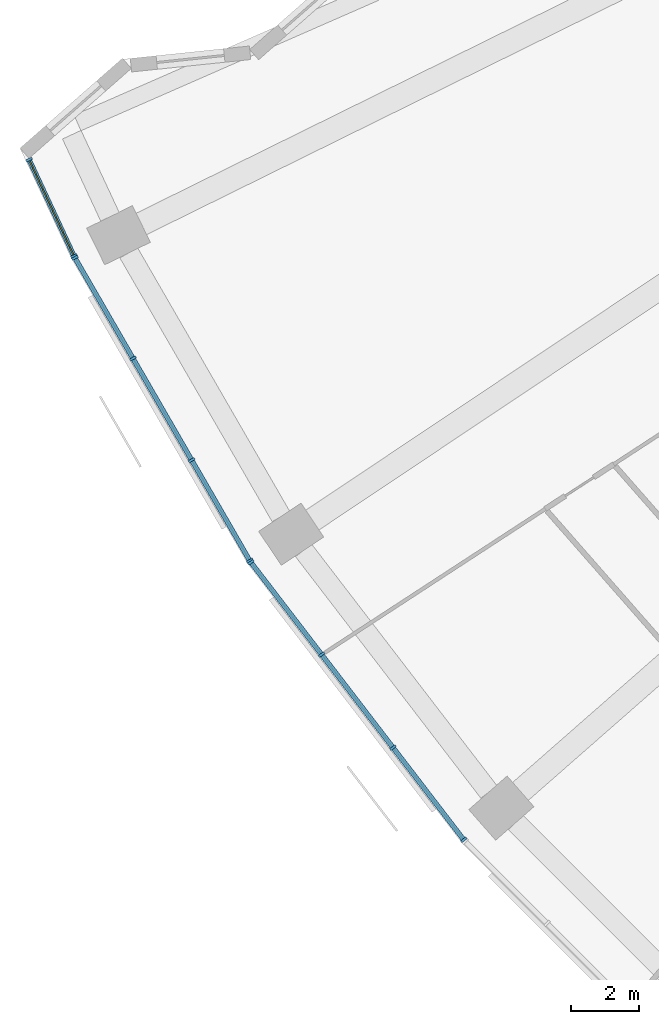
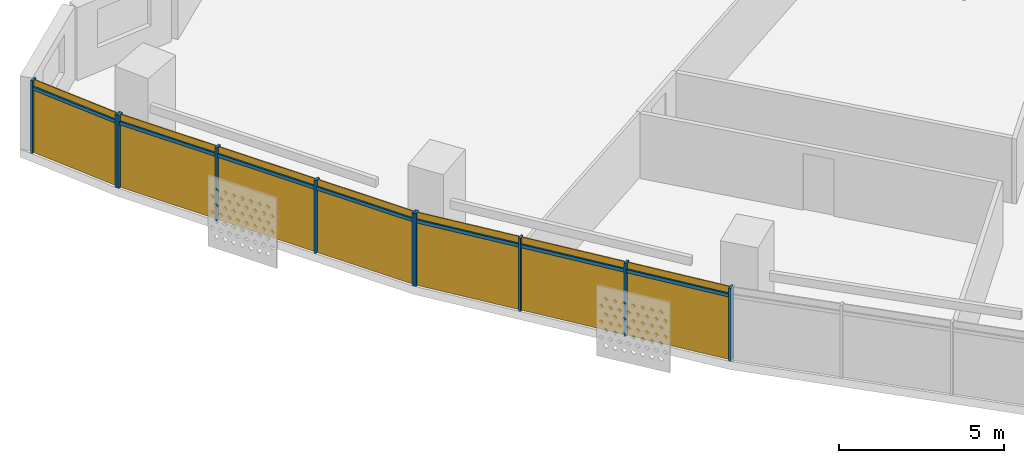
# One storey, part 20 of 29: 17 members, 3 curtain walls.
"""IFC4 building model written with IfcOpenShell, lengths in metres."""

from ifc_helpers import new_model, si_unit, direction, frame, origin, origin_2d, place, context, subcontext, project, spatial, rectangle, extrude, material, material_profile, profile_set, type_object, element, aggregate, save


model = new_model("IFC4")

# Units and contexts
model_context = context("Model", 3, precision=1e-05, world=origin(), true_north=direction((0.0, 1.0)))
body_context = subcontext(model_context, "Body", "Model", "MODEL_VIEW")
ifc_project = project(units=[si_unit("LENGTHUNIT", "METRE"), si_unit("AREAUNIT", "SQUARE_METRE"), si_unit("VOLUMEUNIT", "CUBIC_METRE"), si_unit("PLANEANGLEUNIT", "RADIAN"), si_unit("MASSUNIT", "GRAM", prefix="KILO")], contexts=[model_context])

# Member
ifc_material = material(Name="Aluminium 6063-T6 anodised", Category="aluminium")
ifc_material_profile_1 = material_profile(ifc_material, rectangle(XDim=0.199951171875, YDim=0.070068359375, at=origin_2d()))
ifc_profile_set_1 = profile_set([ifc_material_profile_1], Name="Aluminium 6063-T6 anodised")
member_type_1 = type_object("IfcMemberType", Name="Mullion 70 x 200 aluminium", PredefinedType="MULLION", material=ifc_profile_set_1)
site_placement = place(None, origin())
building_placement = place(site_placement, origin())
storey_placement = place(building_placement, frame((0.0, 0.0, 136.699951171875)))
member_1_placement = place(storey_placement, frame((-72.366455078125, -32.162109375, 0.0), z_axis=(0.0, 0.0, 1.0), x_axis=(0.906640407639, 0.421904220453, 0.0)))
member_1 = element("IfcMember", 1, at=member_1_placement, type_object=member_type_1, Name="e-cw1-L31-out00/M00", PredefinedType="MULLION", context=body_context, shape_type="SweptSolid", body=[
    extrude(rectangle(XDim=0.199951171875, YDim=0.070068359375, at=origin_2d()), origin(), (0.0, 0.0, 1.0), 2.699951171875),
])

member_2_placement = place(storey_placement, frame((-71.046142578125, -34.99951171875, 0.0), z_axis=(0.0, 0.0, 1.0), x_axis=(0.906640407639, 0.421904220453, 0.0)))
member_2 = element("IfcMember", 2, at=member_2_placement, type_object=member_type_1, Name="e-cw1-L31-out00/M01", PredefinedType="MULLION", context=body_context, shape_type="SweptSolid", body=[
    extrude(rectangle(XDim=0.199951171875, YDim=0.070068359375, at=origin_2d()), origin(), (0.0, 0.0, 1.0), 2.699951171875),
])

member_3_placement = place(storey_placement, frame((-71.017822265625, -35.0537109375, 0.0), z_axis=(0.0, 0.0, 1.0), x_axis=(0.866025403784, 0.5, 0.0)))
member_3 = element("IfcMember", 3, at=member_3_placement, type_object=member_type_1, Name="e-cw1-L31-out01/M00", PredefinedType="MULLION", context=body_context, shape_type="SweptSolid", body=[
    extrude(rectangle(XDim=0.199951171875, YDim=0.070068359375, at=origin_2d()), origin(), (0.0, 0.0, 1.0), 2.699951171875),
])

member_4_placement = place(storey_placement, frame((-69.306640625, -38.017822265625, 0.0), z_axis=(0.0, 0.0, 1.0), x_axis=(0.866025403784, 0.5, 0.0)))
member_4 = element("IfcMember", 4, at=member_4_placement, type_object=member_type_1, Name="e-cw1-L31-out01/M01", PredefinedType="MULLION", context=body_context, shape_type="SweptSolid", body=[
    extrude(rectangle(XDim=0.199951171875, YDim=0.070068359375, at=origin_2d()), origin(), (0.0, 0.0, 1.0), 2.699951171875),
])

member_5_placement = place(storey_placement, frame((-67.577880859375, -41.01220703125, 0.0), z_axis=(0.0, 0.0, 1.0), x_axis=(0.866025403784, 0.5, 0.0)))
member_5 = element("IfcMember", 5, at=member_5_placement, type_object=member_type_1, Name="e-cw1-L31-out01/M02", PredefinedType="MULLION", context=body_context, shape_type="SweptSolid", body=[
    extrude(rectangle(XDim=0.199951171875, YDim=0.070068359375, at=origin_2d()), origin(), (0.0, 0.0, 1.0), 2.699951171875),
])

member_6_placement = place(storey_placement, frame((-65.866455078125, -43.976318359375, 0.0), z_axis=(0.0, 0.0, 1.0), x_axis=(0.866025403784, 0.5, 0.0)))
member_6 = element("IfcMember", 6, at=member_6_placement, type_object=member_type_1, Name="e-cw1-L31-out01/M03", PredefinedType="MULLION", context=body_context, shape_type="SweptSolid", body=[
    extrude(rectangle(XDim=0.199951171875, YDim=0.070068359375, at=origin_2d()), origin(), (0.0, 0.0, 1.0), 2.699951171875),
])

member_7_placement = place(storey_placement, frame((-65.8349609375, -44.023681640625, 0.0), z_axis=(0.0, 0.0, 1.0), x_axis=(0.793353340291, 0.608761429009, 0.0)))
member_7 = element("IfcMember", 7, at=member_7_placement, type_object=member_type_1, Name="e-cw1-L31-out02/M00", PredefinedType="MULLION", context=body_context, shape_type="SweptSolid", body=[
    extrude(rectangle(XDim=0.199951171875, YDim=0.070068359375, at=origin_2d()), origin(), (0.0, 0.0, 1.0), 2.699951171875),
])

member_8_placement = place(storey_placement, frame((-63.751220703125, -46.739013671875, 0.0), z_axis=(0.0, 0.0, 1.0), x_axis=(0.793353340291, 0.608761429009, 0.0)))
member_8 = element("IfcMember", 8, at=member_8_placement, type_object=member_type_1, Name="e-cw1-L31-out02/M01", PredefinedType="MULLION", context=body_context, shape_type="SweptSolid", body=[
    extrude(rectangle(XDim=0.199951171875, YDim=0.070068359375, at=origin_2d()), origin(), (0.0, 0.0, 1.0), 2.699951171875),
])

member_9_placement = place(storey_placement, frame((-61.646484375, -49.482177734375, 0.0), z_axis=(0.0, 0.0, 1.0), x_axis=(0.793353340291, 0.608761429009, 0.0)))
member_9 = element("IfcMember", 9, at=member_9_placement, type_object=member_type_1, Name="e-cw1-L31-out02/M02", PredefinedType="MULLION", context=body_context, shape_type="SweptSolid", body=[
    extrude(rectangle(XDim=0.199951171875, YDim=0.070068359375, at=origin_2d()), origin(), (0.0, 0.0, 1.0), 2.699951171875),
])

member_10_placement = place(storey_placement, frame((-59.56298828125, -52.197509765625, 0.0), z_axis=(0.0, 0.0, 1.0), x_axis=(0.793353340291, 0.608761429009, 0.0)))
member_10 = element("IfcMember", 10, at=member_10_placement, type_object=member_type_1, Name="e-cw1-L31-out02/M03", PredefinedType="MULLION", context=body_context, shape_type="SweptSolid", body=[
    extrude(rectangle(XDim=0.199951171875, YDim=0.070068359375, at=origin_2d()), origin(), (0.0, 0.0, 1.0), 2.699951171875),
])

ifc_material_profile_2 = material_profile(ifc_material, rectangle(XDim=0.139892578125, YDim=0.1201171875, at=origin_2d()))
ifc_profile_set_2 = profile_set([ifc_material_profile_2], Name="Aluminium 6063-T6 anodised")
member_type_2 = type_object("IfcMemberType", Name="Transom 120 x 140 aluminium", PredefinedType="USERDEFINED", material=ifc_profile_set_2)
member_11_placement = place(storey_placement, frame((-72.351806640625, -32.19384765625, 2.400146484375), z_axis=(0.421950427938, -0.906618903599, 0.0), x_axis=(0.906618903599, 0.421950427938, 0.0)))
member_11 = element("IfcMember", 11, at=member_11_placement, type_object=member_type_2, Name="e-cw1-L31-out00/T00", ObjectType="TRANSOM", PredefinedType="USERDEFINED", context=body_context, shape_type="SweptSolid", body=[
    extrude(rectangle(XDim=0.139892578125, YDim=0.1201171875, at=origin_2d()), origin(), (0.0, 0.0, 1.0), 3.0595703125),
])

member_12_placement = place(storey_placement, frame((-71.00048828125, -35.084228515625, 2.400146484375), z_axis=(0.50006283963, -0.865989120267, 0.0), x_axis=(0.865989120267, 0.50006283963, 0.0)))
member_12 = element("IfcMember", 12, at=member_12_placement, type_object=member_type_2, Name="e-cw1-L31-out01/T00", ObjectType="TRANSOM", PredefinedType="USERDEFINED", context=body_context, shape_type="SweptSolid", body=[
    extrude(rectangle(XDim=0.139892578125, YDim=0.1201171875, at=origin_2d()), origin(), (0.0, 0.0, 1.0), 3.3525390625),
])

member_13_placement = place(storey_placement, frame((-69.2890625, -38.048095703125, 2.400146484375), z_axis=(0.499999017107, -0.866025971257, 0.0), x_axis=(0.866025971257, 0.499999017107, 0.0)))
member_13 = element("IfcMember", 13, at=member_13_placement, type_object=member_type_2, Name="e-cw1-L31-out01/T01", ObjectType="TRANSOM", PredefinedType="USERDEFINED", context=body_context, shape_type="SweptSolid", body=[
    extrude(rectangle(XDim=0.139892578125, YDim=0.1201171875, at=origin_2d()), origin(), (0.0, 0.0, 1.0), 3.3876953125),
])

member_14_placement = place(storey_placement, frame((-67.560302734375, -41.042724609375, 2.400146484375), z_axis=(0.50000822536, -0.866020654818, 0.0), x_axis=(0.866020654818, 0.50000822536, 0.0)))
member_14 = element("IfcMember", 14, at=member_14_placement, type_object=member_type_2, Name="e-cw1-L31-out01/T02", ObjectType="TRANSOM", PredefinedType="USERDEFINED", context=body_context, shape_type="SweptSolid", body=[
    extrude(rectangle(XDim=0.139892578125, YDim=0.1201171875, at=origin_2d()), origin(), (0.0, 0.0, 1.0), 3.3525390625),
])

member_15_placement = place(storey_placement, frame((-65.8134765625, -44.05126953125, 2.400146484375), z_axis=(0.608714331426, -0.793389477316, 0.0), x_axis=(0.793389477316, 0.608714331426, 0.0)))
member_15 = element("IfcMember", 15, at=member_15_placement, type_object=member_type_2, Name="e-cw1-L31-out02/T00", ObjectType="TRANSOM", PredefinedType="USERDEFINED", context=body_context, shape_type="SweptSolid", body=[
    extrude(rectangle(XDim=0.139892578125, YDim=0.1201171875, at=origin_2d()), origin(), (0.0, 0.0, 1.0), 3.3525390625),
])

member_16_placement = place(storey_placement, frame((-63.72998046875, -46.766845703125, 2.400146484375), z_axis=(0.608773427772, -0.793344133173, 0.0), x_axis=(0.793344133173, 0.608773427772, 0.0)))
member_16 = element("IfcMember", 16, at=member_16_placement, type_object=member_type_2, Name="e-cw1-L31-out02/T01", ObjectType="TRANSOM", PredefinedType="USERDEFINED", context=body_context, shape_type="SweptSolid", body=[
    extrude(rectangle(XDim=0.139892578125, YDim=0.1201171875, at=origin_2d()), origin(), (0.0, 0.0, 1.0), 3.387451171875),
])

member_17_placement = place(storey_placement, frame((-61.625244140625, -49.509765625, 2.400146484375), z_axis=(0.608760167055, -0.793354308621, 0.0), x_axis=(0.793354308621, 0.608760167055, 0.0)))
member_17 = element("IfcMember", 17, at=member_17_placement, type_object=member_type_2, Name="e-cw1-L31-out02/T02", ObjectType="TRANSOM", PredefinedType="USERDEFINED", context=body_context, shape_type="SweptSolid", body=[
    extrude(rectangle(XDim=0.139892578125, YDim=0.1201171875, at=origin_2d()), origin(), (0.0, 0.0, 1.0), 3.352783203125),
])

# Site, building, storey
site = spatial("IfcSite", under=ifc_project, at=site_placement, CompositionType="ELEMENT")
building = spatial("IfcBuilding", under=site, at=building_placement, Name="Qamariyya Broadcast Tower", CompositionType="ELEMENT")
storey = spatial("IfcBuildingStorey", under=building, at=storey_placement, Name="L31", CompositionType="ELEMENT", Elevation=136.699951171875)

# Curtain wall
curtain_wall_type = type_object("IfcCurtainWallType", Name="Unitised curtain wall, anodised aluminium", PredefinedType="NOTDEFINED", material=ifc_material)
curtain_wall_1_placement = place(storey_placement, origin())
curtain_wall_1 = element("IfcCurtainWall", 18, at=curtain_wall_1_placement, inside=storey, type_object=curtain_wall_type, Name="e-cw1-L31-out00", PredefinedType="NOTDEFINED", context=body_context, shape_type="SweptSolid", body=[
    extrude(rectangle(XDim=3.0595703125, YDim=0.031982421875, at=origin_2d()), frame((-71.706298828125, -33.580810546875, 0.0), x_axis=(0.421949566835, -0.906619304365, 0.0)), (0.0, 0.0, 1.0), 2.340087890625),
    extrude(rectangle(XDim=3.0595703125, YDim=0.031982421875, at=origin_2d()), frame((-71.706298828125, -33.580810546875, 2.4599609375), x_axis=(0.421949566835, -0.906619304365, 0.0)), (0.0, 0.0, 1.0), 0.239990234375),
])

aggregate(curtain_wall_1, [member_1, member_2, member_11])

curtain_wall_2_placement = place(storey_placement, origin())
curtain_wall_2 = element("IfcCurtainWall", 19, at=curtain_wall_2_placement, inside=storey, type_object=curtain_wall_type, Name="e-cw1-L31-out01", PredefinedType="NOTDEFINED", context=body_context, shape_type="SweptSolid", body=[
    extrude(rectangle(XDim=3.352783203125, YDim=0.031982421875, at=origin_2d()), frame((-70.162109375, -36.535888671875, 0.0), x_axis=(0.499996813733, -0.866027243369, 0.0)), (0.0, 0.0, 1.0), 2.340087890625),
    extrude(rectangle(XDim=3.352783203125, YDim=0.031982421875, at=origin_2d()), frame((-70.162109375, -36.535888671875, 2.4599609375), x_axis=(0.499996813733, -0.866027243369, 0.0)), (0.0, 0.0, 1.0), 0.239990234375),
    extrude(rectangle(XDim=3.3876953125, YDim=0.031982421875, at=origin_2d()), frame((-68.442138671875, -39.51513671875, 0.0), x_axis=(0.499996813733, -0.866027243369, 0.0)), (0.0, 0.0, 1.0), 2.340087890625),
    extrude(rectangle(XDim=3.3876953125, YDim=0.031982421875, at=origin_2d()), frame((-68.442138671875, -39.51513671875, 2.4599609375), x_axis=(0.499996813733, -0.866027243369, 0.0)), (0.0, 0.0, 1.0), 0.239990234375),
    extrude(rectangle(XDim=3.352783203125, YDim=0.031982421875, at=origin_2d()), frame((-66.72216796875, -42.494384765625, 0.0), x_axis=(0.499996813733, -0.866027243369, 0.0)), (0.0, 0.0, 1.0), 2.340087890625),
    extrude(rectangle(XDim=3.352783203125, YDim=0.031982421875, at=origin_2d()), frame((-66.72216796875, -42.494384765625, 2.4599609375), x_axis=(0.499996813733, -0.866027243369, 0.0)), (0.0, 0.0, 1.0), 0.239990234375),
])

aggregate(curtain_wall_2, [member_3, member_4, member_5, member_6, member_12, member_13, member_14])

curtain_wall_3_placement = place(storey_placement, origin())
curtain_wall_3 = element("IfcCurtainWall", 20, at=curtain_wall_3_placement, inside=storey, type_object=curtain_wall_type, Name="e-cw1-L31-out02", PredefinedType="NOTDEFINED", context=body_context, shape_type="SweptSolid", body=[
    extrude(rectangle(XDim=3.352783203125, YDim=0.031982421875, at=origin_2d()), frame((-64.793212890625, -45.38134765625, 0.0), x_axis=(0.608760568165, -0.793354000839, 0.0)), (0.0, 0.0, 1.0), 2.340087890625),
    extrude(rectangle(XDim=3.352783203125, YDim=0.031982421875, at=origin_2d()), frame((-64.793212890625, -45.38134765625, 2.4599609375), x_axis=(0.608760568165, -0.793354000839, 0.0)), (0.0, 0.0, 1.0), 0.239990234375),
    extrude(rectangle(XDim=3.3876953125, YDim=0.031982421875, at=origin_2d()), frame((-62.69873046875, -48.110595703125, 0.0), x_axis=(0.608760568165, -0.793354000839, 0.0)), (0.0, 0.0, 1.0), 2.340087890625),
    extrude(rectangle(XDim=3.3876953125, YDim=0.031982421875, at=origin_2d()), frame((-62.69873046875, -48.110595703125, 2.4599609375), x_axis=(0.608760568165, -0.793354000839, 0.0)), (0.0, 0.0, 1.0), 0.239990234375),
    extrude(rectangle(XDim=3.352783203125, YDim=0.031982421875, at=origin_2d()), frame((-60.6044921875, -50.83984375, 0.0), x_axis=(0.608760568165, -0.793354000839, 0.0)), (0.0, 0.0, 1.0), 2.340087890625),
    extrude(rectangle(XDim=3.352783203125, YDim=0.031982421875, at=origin_2d()), frame((-60.6044921875, -50.83984375, 2.4599609375), x_axis=(0.608760568165, -0.793354000839, 0.0)), (0.0, 0.0, 1.0), 0.239990234375),
])

aggregate(curtain_wall_3, [member_7, member_8, member_9, member_10, member_15, member_16, member_17])

save(model, "model.ifc")
